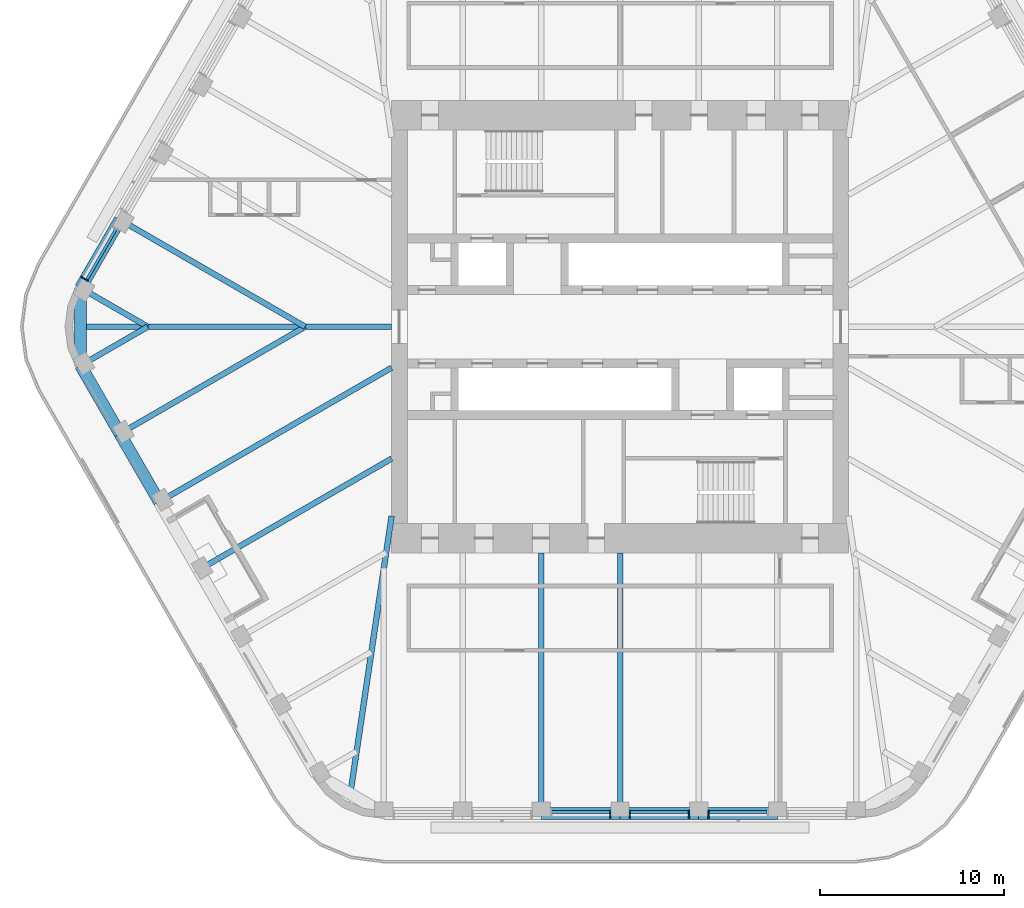
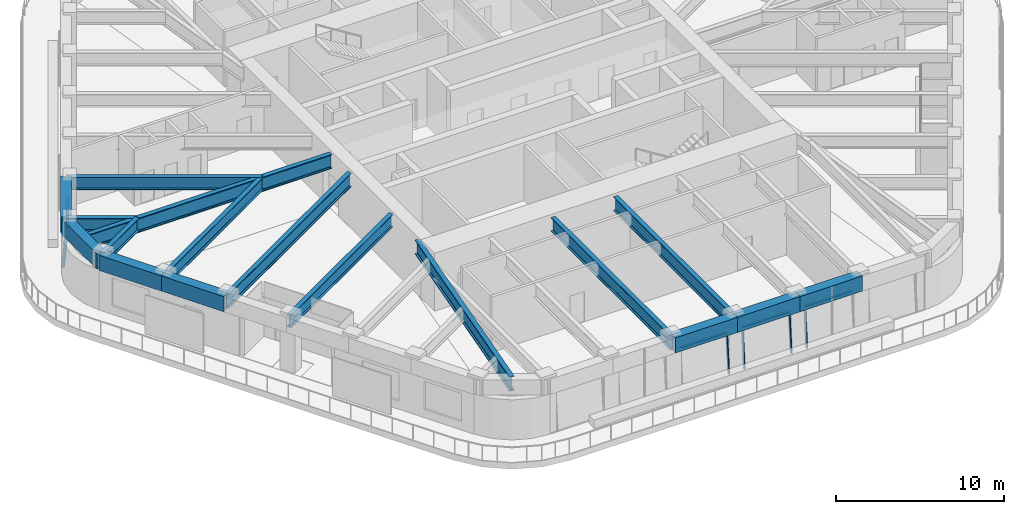
# One storey, part 3 of 19: 17 beams, 9 members, 4 elements without a shape of their own.
"""IFC4 building model written with IfcOpenShell, lengths in metres."""

from ifc_helpers import new_model, si_unit, direction, frame, origin, origin_2d, place, context, subcontext, project, spatial, rectangle, i_section, extrude, material, material_profile, profile_set, type_object, element, aggregate, save


model = new_model("IFC4")

# Units and contexts
model_context = context("Model", 3, precision=1e-05, world=origin(), true_north=direction((0.0, 1.0)))
body_context = subcontext(model_context, "Body", "Model", "MODEL_VIEW")
ifc_project = project(units=[si_unit("LENGTHUNIT", "METRE"), si_unit("AREAUNIT", "SQUARE_METRE"), si_unit("VOLUMEUNIT", "CUBIC_METRE"), si_unit("PLANEANGLEUNIT", "RADIAN"), si_unit("MASSUNIT", "GRAM", prefix="KILO")], contexts=[model_context])

# Site, building, storey
site_placement = place(None, origin())
site = spatial("IfcSite", under=ifc_project, at=site_placement, CompositionType="ELEMENT")
building_placement = place(site_placement, origin())
building = spatial("IfcBuilding", under=site, at=building_placement, Name="Tarfa Lantern Tower", CompositionType="ELEMENT")
storey_placement = place(building_placement, frame((0.0, 0.0, 349.300048828125)))
storey = spatial("IfcBuildingStorey", under=building, at=storey_placement, Name="L79", CompositionType="ELEMENT", Elevation=349.300048828125)

# Curtain wall, member
ifc_material_1 = material(Name="Aluminium framed curtain wall", Category="aluminium")
curtain_wall_type = type_object("IfcCurtainWallType", Name="CW4 CANTED GLAZING EXECUTIVE ZONE 2900", PredefinedType="USERDEFINED", material=ifc_material_1)
curtain_wall_1_placement = place(storey_placement, origin())
curtain_wall_1 = element("IfcCurtainWall", 1, at=curtain_wall_1_placement, inside=storey, type_object=curtain_wall_type, Name="CW4 NW L79", ObjectType="CURTAIN WALL", PredefinedType="USERDEFINED")
ifc_material_2 = material(Name="Aluminium mullion", Category="aluminium")
ifc_material_profile_1 = material_profile(ifc_material_2, rectangle(XDim=0.06494140625, YDim=0.199951171875, at=origin_2d()), Name="AL MULLION 65x200")
ifc_profile_set_1 = profile_set([ifc_material_profile_1], Name="Aluminium mullion")
member_type_1 = type_object("IfcMemberType", Name="CWM1 MULLION 65x200", PredefinedType="MULLION", material=ifc_profile_set_1)
member_1_placement = place(storey_placement, frame((-29.236328125, 2.6611328125, 0.0), z_axis=(0.074399820079, -0.042945555672, 0.996303340364), x_axis=(0.499919672301, 0.866071776036, 0.0)))
member_1 = element("IfcMember", 2, at=member_1_placement, type_object=member_type_1, Name="CW4 mullion 2", PredefinedType="MULLION", context=body_context, shape_type="SweptSolid", body=[
    extrude(rectangle(XDim=0.06494140625, YDim=0.199951171875, at=origin_2d()), origin(), (0.0, 0.0, 1.0), 2.91064453125),
])

curtain_wall_2_placement = place(storey_placement, origin())
curtain_wall_2 = element("IfcCurtainWall", 3, at=curtain_wall_2_placement, inside=storey, type_object=curtain_wall_type, Name="CW4 S L79", ObjectType="CURTAIN WALL", PredefinedType="USERDEFINED")
member_2_placement = place(storey_placement, frame((-0.532470703125, -26.64990234375, 0.0), z_axis=(0.0, 0.085891213166, 0.99630452147), x_axis=(-1.0, 0.0, 0.0)))
member_2 = element("IfcMember", 4, at=member_2_placement, type_object=member_type_1, Name="CW4 mullion 2", PredefinedType="MULLION", context=body_context, shape_type="SweptSolid", body=[
    extrude(rectangle(XDim=0.06494140625, YDim=0.199951171875, at=origin_2d()), origin(), (0.0, 0.0, 1.0), 2.91064453125),
])

# Curtain wall, members
curtain_wall_3_placement = place(storey_placement, origin())
curtain_wall_3 = element("IfcCurtainWall", 5, at=curtain_wall_3_placement, inside=storey, type_object=curtain_wall_type, Name="CW4 S L79", ObjectType="CURTAIN WALL", PredefinedType="USERDEFINED")
member_3_placement = place(storey_placement, frame((0.532470703125, -26.64990234375, 0.0), z_axis=(0.0, 0.085891213166, 0.99630452147), x_axis=(-1.0, 0.0, 0.0)))
member_3 = element("IfcMember", 6, at=member_3_placement, type_object=member_type_1, Name="CW4 mullion 1", PredefinedType="MULLION", context=body_context, shape_type="SweptSolid", body=[
    extrude(rectangle(XDim=0.06494140625, YDim=0.199951171875, at=origin_2d()), origin(), (0.0, 0.0, 1.0), 2.91064453125),
])
member_4_placement = place(storey_placement, frame((3.74951171875, -26.64990234375, 0.0), z_axis=(0.0, 0.085891213166, 0.99630452147), x_axis=(-1.0, 0.0, 0.0)))
member_4 = element("IfcMember", 7, at=member_4_placement, type_object=member_type_1, Name="CW4 mullion 2", PredefinedType="MULLION", context=body_context, shape_type="SweptSolid", body=[
    extrude(rectangle(XDim=0.06494140625, YDim=0.199951171875, at=origin_2d()), origin(), (0.0, 0.0, 1.0), 2.91064453125),
])

# Curtain wall, member
curtain_wall_4_placement = place(storey_placement, origin())
curtain_wall_4 = element("IfcCurtainWall", 8, at=curtain_wall_4_placement, inside=storey, type_object=curtain_wall_type, Name="CW4 S L79", ObjectType="CURTAIN WALL", PredefinedType="USERDEFINED")
member_5_placement = place(storey_placement, frame((4.814453125, -26.64990234375, 0.0), z_axis=(0.0, 0.085891213166, 0.99630452147), x_axis=(-1.0, 0.0, 0.0)))
member_5 = element("IfcMember", 9, at=member_5_placement, type_object=member_type_1, Name="CW4 mullion 1", PredefinedType="MULLION", context=body_context, shape_type="SweptSolid", body=[
    extrude(rectangle(XDim=0.06494140625, YDim=0.199951171875, at=origin_2d()), origin(), (0.0, 0.0, 1.0), 2.91064453125),
])

# Member
ifc_material_3 = material(Name="Aluminium transom", Category="aluminium")
ifc_material_profile_2 = material_profile(ifc_material_3, rectangle(XDim=0.14990234375, YDim=0.06494140625, at=origin_2d()), Name="AL TRANSOM 150x65")
ifc_profile_set_2 = profile_set([ifc_material_profile_2], Name="Aluminium transom")
member_type_2 = type_object("IfcMemberType", Name="CWT1 TRANSOM 150x65", PredefinedType="USERDEFINED", material=ifc_profile_set_2)
member_6_placement = place(storey_placement, frame((-27.429931640625, 5.29541015625, 2.867431640625), z_axis=(-0.500037562771, -0.866003715822, 0.0), x_axis=(0.866003715822, -0.500037562771, 0.0)))
member_6 = element("IfcMember", 10, at=member_6_placement, type_object=member_type_2, Name="CW4 transom 1.2", ObjectType="TRANSOM", PredefinedType="USERDEFINED", context=body_context, shape_type="SweptSolid", body=[
    extrude(rectangle(XDim=0.14990234375, YDim=0.06494140625, at=origin_2d()), origin(), (0.0, 0.0, 1.0), 3.152099609375),
])

aggregate(curtain_wall_1, [member_1, member_6])

member_7_placement = place(storey_placement, frame((-3.717041015625, -26.40283203125, 2.867431640625), z_axis=(1.0, 0.0, 0.0), x_axis=(0.0, 1.0, 0.0)))
member_7 = element("IfcMember", 11, at=member_7_placement, type_object=member_type_2, Name="CW4 transom 1.2", ObjectType="TRANSOM", PredefinedType="USERDEFINED", context=body_context, shape_type="SweptSolid", body=[
    extrude(rectangle(XDim=0.14990234375, YDim=0.06494140625, at=origin_2d()), origin(), (0.0, 0.0, 1.0), 3.152099609375),
])

aggregate(curtain_wall_2, [member_2, member_7])

member_8_placement = place(storey_placement, frame((0.56494140625, -26.40283203125, 2.867431640625), z_axis=(1.0, 0.0, 0.0), x_axis=(0.0, 1.0, 0.0)))
member_8 = element("IfcMember", 12, at=member_8_placement, type_object=member_type_2, Name="CW4 transom 1.2", ObjectType="TRANSOM", PredefinedType="USERDEFINED", context=body_context, shape_type="SweptSolid", body=[
    extrude(rectangle(XDim=0.14990234375, YDim=0.06494140625, at=origin_2d()), origin(), (0.0, 0.0, 1.0), 3.152099609375),
])

aggregate(curtain_wall_3, [member_3, member_4, member_8])

member_9_placement = place(storey_placement, frame((4.846923828125, -26.40283203125, 2.867431640625), z_axis=(1.0, 0.0, 0.0), x_axis=(0.0, 1.0, 0.0)))
member_9 = element("IfcMember", 13, at=member_9_placement, type_object=member_type_2, Name="CW4 transom 1.2", ObjectType="TRANSOM", PredefinedType="USERDEFINED", context=body_context, shape_type="SweptSolid", body=[
    extrude(rectangle(XDim=0.14990234375, YDim=0.06494140625, at=origin_2d()), origin(), (0.0, 0.0, 1.0), 3.152099609375),
])

aggregate(curtain_wall_4, [member_5, member_9])

# Beams
ifc_material_4 = material(Name="Concrete C80/95", Category="concrete")
ifc_material_profile_3 = material_profile(ifc_material_4, rectangle(XDim=0.64990234375, YDim=1.10009765625, at=origin_2d()), Name="RC 650x1100")
ifc_profile_set_3 = profile_set([ifc_material_profile_3], Name="Concrete C80/95")
beam_type_1 = type_object("IfcBeamType", Name="EB4 RC 650x1100", PredefinedType="SPANDREL", material=ifc_profile_set_3)
beam_1_placement = place(storey_placement, frame((-27.205810546875, 5.818359375, 3.449951171875), z_axis=(-0.499984039138, -0.866034618596, 0.0), x_axis=(0.866034618596, -0.499984039138, 0.0)))
element("IfcBeam", 14, at=beam_1_placement, inside=storey, type_object=beam_type_1, Name="Edge beam NW5", PredefinedType="SPANDREL", context=body_context, shape_type="SweptSolid", body=[
    extrude(rectangle(XDim=0.64990234375, YDim=1.10009765625, at=origin_2d()), origin(), (0.0, 0.0, 1.0), 4.281982421875),
])
beam_2_placement = place(storey_placement, frame((-29.3466796875, 2.110107421875, 3.449951171875), z_axis=(0.0, -1.0, 0.0), x_axis=(1.0, 0.0, 0.0)))
element("IfcBeam", 15, at=beam_2_placement, inside=storey, type_object=beam_type_1, Name="Edge beam NW6", PredefinedType="SPANDREL", context=body_context, shape_type="SweptSolid", body=[
    extrude(rectangle(XDim=0.64990234375, YDim=1.10009765625, at=origin_2d()), origin(), (0.0, 0.0, 1.0), 4.22021484375),
])
for number, where, z_axis, x_axis, name in (
    (16, (-29.3466796875, -2.110107421875, 3.449951171875), (0.499984039138, -0.866034618596, 0.0), (0.866034618596, 0.499984039138, 0.0), "Edge beam SW0"),
    (17, (-27.205810546875, -5.818359375, 3.449951171875), (0.500026801138, -0.866009929587, 0.0), (0.866009929587, 0.500026801138, 0.0), "Edge beam SW1"),
    (18, (-4.281982421875, -26.469970703125, 3.449951171875), (1.0, 0.0, 0.0), (0.0, 1.0, 0.0), "Edge beam S2"),
    (19, (0.0, -26.469970703125, 3.449951171875), (1.0, 0.0, 0.0), (0.0, 1.0, 0.0), "Edge beam S3"),
    (20, (4.281982421875, -26.469970703125, 3.449951171875), (1.0, 0.0, 0.0), (0.0, 1.0, 0.0), "Edge beam S4"),
):
    element("IfcBeam", number, at=place(storey_placement, frame(where, z_axis=z_axis, x_axis=x_axis)), inside=storey, type_object=beam_type_1, Name=name, PredefinedType="SPANDREL", context=body_context, shape_type="SweptSolid", body=[
        extrude(rectangle(XDim=0.64990234375, YDim=1.10009765625, at=origin_2d()), origin(), (0.0, 0.0, 1.0), 4.281982421875),
    ])
ifc_material_5 = material(Name="Steel S460M", Category="steel")
ifc_material_profile_4 = material_profile(ifc_material_5, i_section(OverallWidth=0.302001953125, OverallDepth=1.008056640625, WebThickness=0.02099609375, FlangeThickness=0.0400390625, FilletRadius=0.030029296875, at=origin_2d()), Name="UB1016x305x349")
ifc_profile_set_4 = profile_set([ifc_material_profile_4], Name="Steel S460M")
beam_type_2 = type_object("IfcBeamType", Name="UB1016x305x349", PredefinedType="BEAM", material=ifc_profile_set_4)
beam_3_placement = place(storey_placement, frame((-25.064697265625, -9.526611328125, 3.495849609375), z_axis=(0.866029591389, 0.499992746786, 0.0), x_axis=(-0.499992746786, 0.866029591389, 0.0)))
element("IfcBeam", 21, at=beam_3_placement, inside=storey, type_object=beam_type_2, Name="Floor beam SW2", PredefinedType="BEAM", context=body_context, shape_type="SweptSolid", body=[
    extrude(i_section(OverallWidth=0.302001953125, OverallDepth=1.008056640625, WebThickness=0.02099609375, FlangeThickness=0.0400390625, FilletRadius=0.030029296875, at=origin_2d()), origin(), (0.0, 0.0, 1.0), 14.594970703125),
])
for number, where, z_axis, x_axis, name in (
    (22, (-4.281982421875, -26.469970703125, 3.495849609375), (0.0, 1.0, 0.0), (-1.0, 0.0, 0.0), "Floor beam S2"),
    (23, (0.0, -26.469970703125, 3.495849609375), (0.0, 1.0, 0.0), (-1.0, 0.0, 0.0), "Floor beam S3"),
):
    element("IfcBeam", number, at=place(storey_placement, frame(where, z_axis=z_axis, x_axis=x_axis)), inside=storey, type_object=beam_type_2, Name=name, PredefinedType="BEAM", context=body_context, shape_type="SweptSolid", body=[
        extrude(i_section(OverallWidth=0.302001953125, OverallDepth=1.008056640625, WebThickness=0.02099609375, FlangeThickness=0.0400390625, FilletRadius=0.030029296875, at=origin_2d()), origin(), (0.0, 0.0, 1.0), 14.169921875),
    ])
ifc_material_profile_5 = material_profile(ifc_material_5, i_section(OverallWidth=0.30859375, OverallDepth=1.036376953125, WebThickness=0.030029296875, FlangeThickness=0.05419921875, FilletRadius=0.030029296875, at=origin_2d()), Name="UB1016x305x487")
ifc_profile_set_5 = profile_set([ifc_material_profile_5], Name="Steel S460M")
beam_type_3 = type_object("IfcBeamType", Name="UB1016x305x487", PredefinedType="BEAM", material=ifc_profile_set_5)
beam_4_placement = place(storey_placement, frame((-12.425048828125, 0.0, 3.481689453125), z_axis=(-1.0, 0.0, 0.0), x_axis=(0.0, -1.0, 0.0)))
element("IfcBeam", 24, at=beam_4_placement, inside=storey, type_object=beam_type_3, Name="Hip girder W", PredefinedType="BEAM", context=body_context, shape_type="SweptSolid", body=[
    extrude(i_section(OverallWidth=0.30859375, OverallDepth=1.036376953125, WebThickness=0.030029296875, FlangeThickness=0.05419921875, FilletRadius=0.030029296875, at=origin_2d()), origin(), (0.0, 0.0, 1.0), 16.921630859375),
])
beam_5_placement = place(storey_placement, frame((-12.425048828125, -10.300048828125, 3.481689453125), z_axis=(-0.147127069073, -0.989117599452, 0.0), x_axis=(0.989117599452, -0.147127069073, 0.0)))
element("IfcBeam", 25, at=beam_5_placement, inside=storey, type_object=beam_type_3, Name="Hip girder SW", PredefinedType="BEAM", context=body_context, shape_type="SweptSolid", body=[
    extrude(i_section(OverallWidth=0.30859375, OverallDepth=1.036376953125, WebThickness=0.030029296875, FlangeThickness=0.05419921875, FilletRadius=0.030029296875, at=origin_2d()), origin(), (0.0, 0.0, 1.0), 15.28125),
])
ifc_material_profile_6 = material_profile(ifc_material_5, i_section(OverallWidth=0.305419921875, OverallDepth=0.91845703125, WebThickness=0.017333984375, FlangeThickness=0.02783203125, FilletRadius=0.01904296875, at=origin_2d()), Name="UB914x305x253")
ifc_profile_set_6 = profile_set([ifc_material_profile_6], Name="Steel S460M")
beam_type_4 = type_object("IfcBeamType", Name="UB914x305x253", PredefinedType="BEAM", material=ifc_profile_set_6)
beam_6_placement = place(storey_placement, frame((-27.205810546875, 5.818359375, 3.540771484375), z_axis=(0.866024171998, -0.500002133511, 0.0), x_axis=(0.500002133511, 0.866024171998, 0.0)))
element("IfcBeam", 26, at=beam_6_placement, inside=storey, type_object=beam_type_4, Name="Floor beam NW5", PredefinedType="BEAM", context=body_context, shape_type="SweptSolid", body=[
    extrude(i_section(OverallWidth=0.305419921875, OverallDepth=0.91845703125, WebThickness=0.017333984375, FlangeThickness=0.02783203125, FilletRadius=0.01904296875, at=origin_2d()), origin(), (0.0, 0.0, 1.0), 11.63671875),
])
for number, where, z_axis, x_axis, name in (
    (27, (-29.3466796875, 2.110107421875, 3.540771484375), (0.866009274789, -0.500027935199, 0.0), (0.500027935199, 0.866009274789, 0.0), "Floor beam NW6"),
    (28, (-29.3466796875, -2.110107421875, 3.540771484375), (0.866009274789, 0.500027935199, 0.0), (-0.500027935199, 0.866009274789, 0.0), "Floor beam SW0"),
):
    element("IfcBeam", number, at=place(storey_placement, frame(where, z_axis=z_axis, x_axis=x_axis)), inside=storey, type_object=beam_type_4, Name=name, PredefinedType="BEAM", context=body_context, shape_type="SweptSolid", body=[
        extrude(i_section(OverallWidth=0.305419921875, OverallDepth=0.91845703125, WebThickness=0.017333984375, FlangeThickness=0.02783203125, FilletRadius=0.01904296875, at=origin_2d()), origin(), (0.0, 0.0, 1.0), 4.219970703125),
    ])
beam_7_placement = place(storey_placement, frame((-27.205810546875, -5.818359375, 3.540771484375), z_axis=(0.866024171998, 0.500002133511, 0.0), x_axis=(-0.500002133511, 0.866024171998, 0.0)))
element("IfcBeam", 29, at=beam_7_placement, inside=storey, type_object=beam_type_4, Name="Floor beam SW1", PredefinedType="BEAM", context=body_context, shape_type="SweptSolid", body=[
    extrude(i_section(OverallWidth=0.305419921875, OverallDepth=0.91845703125, WebThickness=0.017333984375, FlangeThickness=0.02783203125, FilletRadius=0.01904296875, at=origin_2d()), origin(), (0.0, 0.0, 1.0), 11.63671875),
])
beam_8_placement = place(storey_placement, frame((-22.923583984375, -13.235107421875, 3.540771484375), z_axis=(0.86601856927, 0.500011837539, 0.0), x_axis=(-0.500011837539, 0.86601856927, 0.0)))
element("IfcBeam", 30, at=beam_8_placement, inside=storey, type_object=beam_type_4, Name="Floor beam SW3", PredefinedType="BEAM", context=body_context, shape_type="SweptSolid", body=[
    extrude(i_section(OverallWidth=0.305419921875, OverallDepth=0.91845703125, WebThickness=0.017333984375, FlangeThickness=0.02783203125, FilletRadius=0.01904296875, at=origin_2d()), origin(), (0.0, 0.0, 1.0), 12.122802734375),
])

save(model, "model.ifc")
